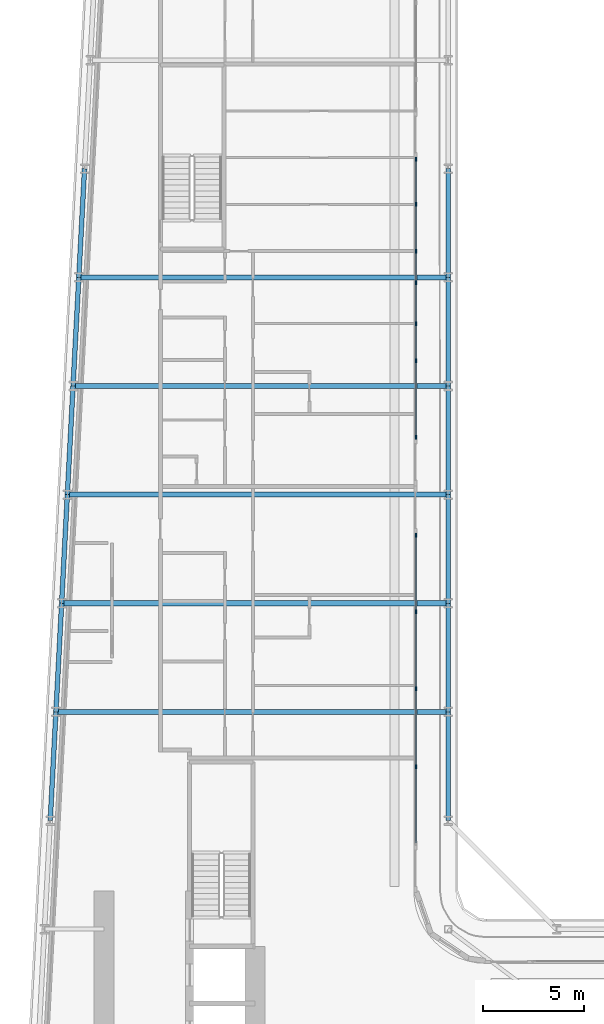
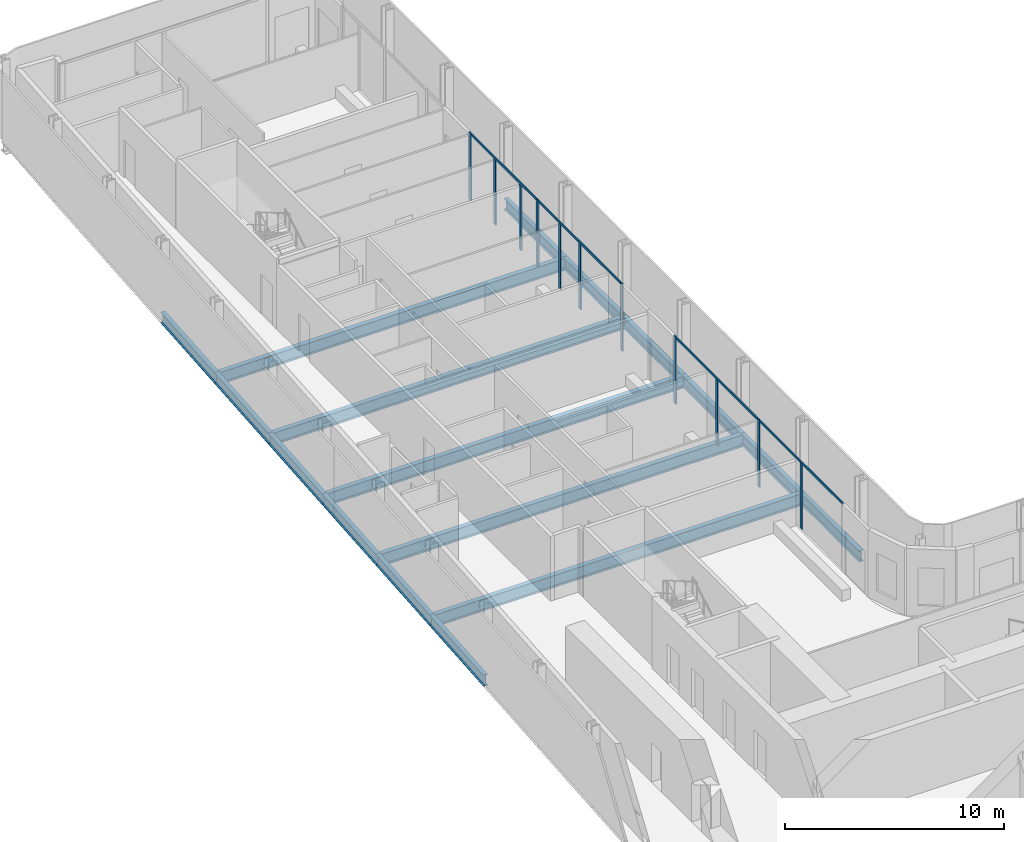
# One storey, part 7 of 27: 17 beams, 15 members, 4 elements without a shape of their own.
"""IFC4 building model written with IfcOpenShell, lengths in metres."""

from ifc_helpers import new_model, si_unit, direction, frame, origin, origin_2d, place, context, subcontext, project, spatial, rectangle, i_section, extrude, material, layer, layer_set, material_profile, profile_set, type_object, element, aggregate, save


model = new_model("IFC4")

# Units and contexts
model_context = context("Model", 3, precision=1e-05, world=origin(), true_north=direction((0.0, 1.0)))
body_context = subcontext(model_context, "Body", "Model", "MODEL_VIEW")
ifc_project = project(units=[si_unit("LENGTHUNIT", "METRE"), si_unit("AREAUNIT", "SQUARE_METRE"), si_unit("VOLUMEUNIT", "CUBIC_METRE"), si_unit("PLANEANGLEUNIT", "RADIAN"), si_unit("MASSUNIT", "GRAM", prefix="KILO")], contexts=[model_context])

# Site, building, storey
site_placement = place(None, origin())
site = spatial("IfcSite", under=ifc_project, at=site_placement, CompositionType="ELEMENT")
building_placement = place(site_placement, origin())
building = spatial("IfcBuilding", under=site, at=building_placement, Name="Kheshtan School and Residences Tower", CompositionType="ELEMENT")
storey_placement = place(building_placement, frame((0.0, 0.0, 53.89990234375)))
storey = spatial("IfcBuildingStorey", under=building, at=storey_placement, Name="L12", CompositionType="ELEMENT", Elevation=53.89990234375)

# Beams
ifc_material_1 = material(Name="Steel ASTM A992 Grade 50", Category="steel")
ifc_material_profile_1 = material_profile(ifc_material_1, i_section(OverallWidth=0.2529296875, OverallDepth=0.677978515625, WebThickness=0.01171875, FlangeThickness=0.016357421875, FilletRadius=0.0146484375, at=origin_2d()), Name="W690x125")
ifc_profile_set_1 = profile_set([ifc_material_profile_1], Name="Steel ASTM A992 Grade 50")
beam_type_1 = type_object("IfcBeamType", Name="Beam FB6 W690x125 ASTM A992 Grade 50", PredefinedType="BEAM", material=ifc_profile_set_1)
beam_1_placement = place(storey_placement, frame((47.60009765625, 72.60009765625, -0.489013671875), z_axis=(-1.0, 0.0, 0.0), x_axis=(0.0, -1.0, 0.0)))
element("IfcBeam", 1, at=beam_1_placement, inside=storey, type_object=beam_type_1, Name="Floor beam C087", PredefinedType="BEAM", context=body_context, shape_type="SweptSolid", body=[
    extrude(i_section(OverallWidth=0.2529296875, OverallDepth=0.677978515625, WebThickness=0.01171875, FlangeThickness=0.016357421875, FilletRadius=0.0146484375, at=origin_2d()), origin(), (0.0, 0.0, 1.0), 18.64208984375),
])
beam_2_placement = place(storey_placement, frame((47.60009765625, 61.800048828125, -0.489013671875), z_axis=(-1.0, 0.0, 0.0), x_axis=(0.0, -1.0, 0.0)))
element("IfcBeam", 2, at=beam_2_placement, inside=storey, type_object=beam_type_1, Name="Floor beam C083", PredefinedType="BEAM", context=body_context, shape_type="SweptSolid", body=[
    extrude(i_section(OverallWidth=0.2529296875, OverallDepth=0.677978515625, WebThickness=0.01171875, FlangeThickness=0.016357421875, FilletRadius=0.0146484375, at=origin_2d()), origin(), (0.0, 0.0, 1.0), 19.210205078125),
])
beam_3_placement = place(storey_placement, frame((28.10595703125, 56.39990234375, -0.489013671875), z_axis=(1.0, 0.0, 0.0), x_axis=(0.0, 1.0, 0.0)))
element("IfcBeam", 3, at=beam_3_placement, inside=storey, type_object=beam_type_1, Name="Floor beam C080", PredefinedType="BEAM", context=body_context, shape_type="SweptSolid", body=[
    extrude(i_section(OverallWidth=0.2529296875, OverallDepth=0.677978515625, WebThickness=0.01171875, FlangeThickness=0.016357421875, FilletRadius=0.0146484375, at=origin_2d()), origin(), (0.0, 0.0, 1.0), 19.494140625),
])
beam_4_placement = place(storey_placement, frame((28.674072265625, 67.199951171875, -0.489013671875), z_axis=(1.0, 0.0, 0.0), x_axis=(0.0, 1.0, 0.0)))
element("IfcBeam", 4, at=beam_4_placement, inside=storey, type_object=beam_type_1, Name="Floor beam C084", PredefinedType="BEAM", context=body_context, shape_type="SweptSolid", body=[
    extrude(i_section(OverallWidth=0.2529296875, OverallDepth=0.677978515625, WebThickness=0.01171875, FlangeThickness=0.016357421875, FilletRadius=0.0146484375, at=origin_2d()), origin(), (0.0, 0.0, 1.0), 18.926025390625),
])
beam_5_placement = place(storey_placement, frame((29.242919921875, 78.0, -0.489013671875), z_axis=(1.0, 0.0, 0.0), x_axis=(0.0, 1.0, 0.0)))
element("IfcBeam", 5, at=beam_5_placement, inside=storey, type_object=beam_type_1, Name="Floor beam C088", PredefinedType="BEAM", context=body_context, shape_type="SweptSolid", body=[
    extrude(i_section(OverallWidth=0.2529296875, OverallDepth=0.677978515625, WebThickness=0.01171875, FlangeThickness=0.016357421875, FilletRadius=0.0146484375, at=origin_2d()), origin(), (0.0, 0.0, 1.0), 18.357177734375),
])
ifc_material_profile_2 = material_profile(ifc_material_1, i_section(OverallWidth=0.22998046875, OverallDepth=0.616943359375, WebThickness=0.01318359375, FlangeThickness=0.022216796875, FilletRadius=0.0185546875, at=origin_2d()), Name="W610x140")
ifc_profile_set_2 = profile_set([ifc_material_profile_2], Name="Steel ASTM A992 Grade 50")
beam_type_2 = type_object("IfcBeamType", Name="Beam SP1 W610x140 ASTM A992 Grade 50", PredefinedType="BEAM", material=ifc_profile_set_2)
for number, where, z_axis, x_axis, name in (
    (6, (47.60009765625, 83.39990234375, -0.45849609375), (0.0, -1.0, 0.0), (1.0, 0.0, 0.0), "Spandrel beam C091-C089"),
    (7, (47.60009765625, 78.0, -0.45849609375), (0.0, -1.0, 0.0), (1.0, 0.0, 0.0), "Spandrel beam C089-C087"),
):
    element("IfcBeam", number, at=place(storey_placement, frame(where, z_axis=z_axis, x_axis=x_axis)), inside=storey, type_object=beam_type_2, Name=name, PredefinedType="BEAM", context=body_context, shape_type="SweptSolid", body=[
        extrude(i_section(OverallWidth=0.22998046875, OverallDepth=0.616943359375, WebThickness=0.01318359375, FlangeThickness=0.022216796875, FilletRadius=0.0185546875, at=origin_2d()), origin(), (0.0, 0.0, 1.0), 5.39990234375),
    ])
beam_6_placement = place(storey_placement, frame((47.60009765625, 72.60009765625, -0.45849609375), z_axis=(0.0, -1.0, 0.0), x_axis=(1.0, 0.0, 0.0)))
element("IfcBeam", 8, at=beam_6_placement, inside=storey, type_object=beam_type_2, Name="Spandrel beam C087-C085", PredefinedType="BEAM", context=body_context, shape_type="SweptSolid", body=[
    extrude(i_section(OverallWidth=0.22998046875, OverallDepth=0.616943359375, WebThickness=0.01318359375, FlangeThickness=0.022216796875, FilletRadius=0.0185546875, at=origin_2d()), origin(), (0.0, 0.0, 1.0), 5.400146484375),
])
beam_7_placement = place(storey_placement, frame((47.60009765625, 67.199951171875, -0.45849609375), z_axis=(0.0, -1.0, 0.0), x_axis=(1.0, 0.0, 0.0)))
element("IfcBeam", 9, at=beam_7_placement, inside=storey, type_object=beam_type_2, Name="Spandrel beam C085-C083", PredefinedType="BEAM", context=body_context, shape_type="SweptSolid", body=[
    extrude(i_section(OverallWidth=0.22998046875, OverallDepth=0.616943359375, WebThickness=0.01318359375, FlangeThickness=0.022216796875, FilletRadius=0.0185546875, at=origin_2d()), origin(), (0.0, 0.0, 1.0), 5.39990234375),
])
beam_8_placement = place(storey_placement, frame((47.60009765625, 61.800048828125, -0.45849609375), z_axis=(0.0, -1.0, 0.0), x_axis=(1.0, 0.0, 0.0)))
element("IfcBeam", 10, at=beam_8_placement, inside=storey, type_object=beam_type_2, Name="Spandrel beam C083-C081", PredefinedType="BEAM", context=body_context, shape_type="SweptSolid", body=[
    extrude(i_section(OverallWidth=0.22998046875, OverallDepth=0.616943359375, WebThickness=0.01318359375, FlangeThickness=0.022216796875, FilletRadius=0.0185546875, at=origin_2d()), origin(), (0.0, 0.0, 1.0), 5.400146484375),
])
beam_9_placement = place(storey_placement, frame((47.60009765625, 56.39990234375, -0.45849609375), z_axis=(0.0, -1.0, 0.0), x_axis=(1.0, 0.0, 0.0)))
element("IfcBeam", 11, at=beam_9_placement, inside=storey, type_object=beam_type_2, Name="Spandrel beam C081-C079", PredefinedType="BEAM", context=body_context, shape_type="SweptSolid", body=[
    extrude(i_section(OverallWidth=0.22998046875, OverallDepth=0.616943359375, WebThickness=0.01318359375, FlangeThickness=0.022216796875, FilletRadius=0.0185546875, at=origin_2d()), origin(), (0.0, 0.0, 1.0), 5.39990234375),
])
beam_10_placement = place(storey_placement, frame((27.822021484375, 51.0, -0.45849609375), z_axis=(0.05250906864, 0.998620447272, 0.0), x_axis=(-0.998620447272, 0.05250906864, 0.0)))
element("IfcBeam", 12, at=beam_10_placement, inside=storey, type_object=beam_type_2, Name="Spandrel beam C078-C080", PredefinedType="BEAM", context=body_context, shape_type="SweptSolid", body=[
    extrude(i_section(OverallWidth=0.22998046875, OverallDepth=0.616943359375, WebThickness=0.01318359375, FlangeThickness=0.022216796875, FilletRadius=0.0185546875, at=origin_2d()), origin(), (0.0, 0.0, 1.0), 5.407470703125),
])
beam_11_placement = place(storey_placement, frame((28.10595703125, 56.39990234375, -0.45849609375), z_axis=(0.05250670125, 0.998620571751, 0.0), x_axis=(-0.998620571751, 0.05250670125, 0.0)))
element("IfcBeam", 13, at=beam_11_placement, inside=storey, type_object=beam_type_2, Name="Spandrel beam C080-C082", PredefinedType="BEAM", context=body_context, shape_type="SweptSolid", body=[
    extrude(i_section(OverallWidth=0.22998046875, OverallDepth=0.616943359375, WebThickness=0.01318359375, FlangeThickness=0.022216796875, FilletRadius=0.0185546875, at=origin_2d()), origin(), (0.0, 0.0, 1.0), 5.40771484375),
])
beam_12_placement = place(storey_placement, frame((28.389892578125, 61.800048828125, -0.45849609375), z_axis=(0.052554093665, 0.998618078766, 0.0), x_axis=(-0.998618078766, 0.052554093665, 0.0)))
element("IfcBeam", 14, at=beam_12_placement, inside=storey, type_object=beam_type_2, Name="Spandrel beam C082-C084", PredefinedType="BEAM", context=body_context, shape_type="SweptSolid", body=[
    extrude(i_section(OverallWidth=0.22998046875, OverallDepth=0.616943359375, WebThickness=0.01318359375, FlangeThickness=0.022216796875, FilletRadius=0.0185546875, at=origin_2d()), origin(), (0.0, 0.0, 1.0), 5.407470703125),
])
beam_13_placement = place(storey_placement, frame((28.674072265625, 67.199951171875, -0.45849609375), z_axis=(0.05250670125, 0.998620571751, 0.0), x_axis=(-0.998620571751, 0.05250670125, 0.0)))
element("IfcBeam", 15, at=beam_13_placement, inside=storey, type_object=beam_type_2, Name="Spandrel beam C084-C086", PredefinedType="BEAM", context=body_context, shape_type="SweptSolid", body=[
    extrude(i_section(OverallWidth=0.22998046875, OverallDepth=0.616943359375, WebThickness=0.01318359375, FlangeThickness=0.022216796875, FilletRadius=0.0185546875, at=origin_2d()), origin(), (0.0, 0.0, 1.0), 5.40771484375),
])
for number, where, z_axis, x_axis, name in (
    (16, (28.9580078125, 72.60009765625, -0.45849609375), (0.052689166816, 0.998610961136, 0.0), (-0.998610961136, 0.052689166816, 0.0), "Spandrel beam C086-C088"),
    (17, (29.242919921875, 78.0, -0.45849609375), (0.052554093665, 0.998618078766, 0.0), (-0.998618078766, 0.052554093665, 0.0), "Spandrel beam C088-C090"),
):
    element("IfcBeam", number, at=place(storey_placement, frame(where, z_axis=z_axis, x_axis=x_axis)), inside=storey, type_object=beam_type_2, Name=name, PredefinedType="BEAM", context=body_context, shape_type="SweptSolid", body=[
        extrude(i_section(OverallWidth=0.22998046875, OverallDepth=0.616943359375, WebThickness=0.01318359375, FlangeThickness=0.022216796875, FilletRadius=0.0185546875, at=origin_2d()), origin(), (0.0, 0.0, 1.0), 5.407470703125),
    ])

# Curtain wall, members
ifc_material_2 = material(Name="Clear low-e glass in thermally broken aluminium frame", Category="aluminium")
ifc_layer = layer(ifc_material_2, 0.199951171875)
ifc_layer_set = layer_set([ifc_layer], Name="Curtain wall CW-L")
curtain_wall_type = type_object("IfcCurtainWallType", Name="Curtain wall CW-L", PredefinedType="NOTDEFINED", material=ifc_layer_set)
curtain_wall_1_placement = place(storey_placement, origin())
curtain_wall_1 = element("IfcCurtainWall", 18, at=curtain_wall_1_placement, inside=storey, type_object=curtain_wall_type, Name="Curtain wall CWL8b", PredefinedType="NOTDEFINED")
ifc_material_3 = material(Name="Thermally broken aluminium, dark bronze anodised", Category="aluminium")
ifc_material_profile_3 = material_profile(ifc_material_3, rectangle(XDim=0.06005859375, YDim=0.199951171875, at=origin_2d()), Name="CW-L mullion 60x200")
ifc_profile_set_3 = profile_set([ifc_material_profile_3], Name="Thermally broken aluminium, dark bronze anodised")
member_type_1 = type_object("IfcMemberType", Name="CW-L mullion 60x200", PredefinedType="MULLION", material=ifc_profile_set_3)
member_1_placement = place(storey_placement, frame((46.0, 83.8759765625, 0.0), z_axis=(0.0, 0.0, 1.0), x_axis=(1.0, 0.0, 0.0)))
member_1 = element("IfcMember", 19, at=member_1_placement, type_object=member_type_1, Name="CWL8b mullion 1", PredefinedType="MULLION", context=body_context, shape_type="SweptSolid", body=[
    extrude(rectangle(XDim=0.06005859375, YDim=0.199951171875, at=origin_2d()), origin(), (0.0, 0.0, 1.0), 3.75),
])
member_2_placement = place(storey_placement, frame((46.0, 81.625, 0.0), z_axis=(0.0, 0.0, 1.0), x_axis=(1.0, 0.0, 0.0)))
member_2 = element("IfcMember", 20, at=member_2_placement, type_object=member_type_1, Name="CWL8b mullion 2", PredefinedType="MULLION", context=body_context, shape_type="SweptSolid", body=[
    extrude(rectangle(XDim=0.06005859375, YDim=0.199951171875, at=origin_2d()), origin(), (0.0, 0.0, 1.0), 3.630126953125),
])
member_3_placement = place(storey_placement, frame((46.0, 79.300048828125, 0.0), z_axis=(0.0, 0.0, 1.0), x_axis=(1.0, 0.0, 0.0)))
member_3 = element("IfcMember", 21, at=member_3_placement, type_object=member_type_1, Name="CWL8b mullion 3", PredefinedType="MULLION", context=body_context, shape_type="SweptSolid", body=[
    extrude(rectangle(XDim=0.06005859375, YDim=0.199951171875, at=origin_2d()), origin(), (0.0, 0.0, 1.0), 3.630126953125),
])
member_4_placement = place(storey_placement, frame((46.0, 77.741943359375, 0.0), z_axis=(0.0, 0.0, 1.0), x_axis=(1.0, 0.0, 0.0)))
member_4 = element("IfcMember", 22, at=member_4_placement, type_object=member_type_1, Name="CWL8b mullion 4", PredefinedType="MULLION", context=body_context, shape_type="SweptSolid", body=[
    extrude(rectangle(XDim=0.06005859375, YDim=0.199951171875, at=origin_2d()), origin(), (0.0, 0.0, 1.0), 3.75),
])

curtain_wall_2_placement = place(storey_placement, origin())
curtain_wall_2 = element("IfcCurtainWall", 23, at=curtain_wall_2_placement, inside=storey, type_object=curtain_wall_type, Name="Curtain wall CWL8c", PredefinedType="NOTDEFINED")
member_5_placement = place(storey_placement, frame((46.0, 75.699951171875, 0.0), z_axis=(0.0, 0.0, 1.0), x_axis=(1.0, 0.0, 0.0)))
member_5 = element("IfcMember", 24, at=member_5_placement, type_object=member_type_1, Name="CWL8c mullion 2", PredefinedType="MULLION", context=body_context, shape_type="SweptSolid", body=[
    extrude(rectangle(XDim=0.06005859375, YDim=0.199951171875, at=origin_2d()), origin(), (0.0, 0.0, 1.0), 3.630126953125),
])
member_6_placement = place(storey_placement, frame((46.0, 73.864990234375, 0.0), z_axis=(0.0, 0.0, 1.0), x_axis=(1.0, 0.0, 0.0)))
member_6 = element("IfcMember", 25, at=member_6_placement, type_object=member_type_1, Name="CWL8c mullion 3", PredefinedType="MULLION", context=body_context, shape_type="SweptSolid", body=[
    extrude(rectangle(XDim=0.06005859375, YDim=0.199951171875, at=origin_2d()), origin(), (0.0, 0.0, 1.0), 3.630126953125),
])
member_7_placement = place(storey_placement, frame((46.0, 70.048095703125, 0.0), z_axis=(0.0, 0.0, 1.0), x_axis=(1.0, 0.0, 0.0)))
member_7 = element("IfcMember", 26, at=member_7_placement, type_object=member_type_1, Name="CWL8c mullion 4", PredefinedType="MULLION", context=body_context, shape_type="SweptSolid", body=[
    extrude(rectangle(XDim=0.06005859375, YDim=0.199951171875, at=origin_2d()), origin(), (0.0, 0.0, 1.0), 3.75),
])

curtain_wall_3_placement = place(storey_placement, origin())
curtain_wall_3 = element("IfcCurtainWall", 27, at=curtain_wall_3_placement, inside=storey, type_object=curtain_wall_type, Name="Curtain wall CWL8", PredefinedType="NOTDEFINED")
member_8_placement = place(storey_placement, frame((46.0, 65.18798828125, 0.0), z_axis=(0.0, 0.0, 1.0), x_axis=(1.0, 0.0, 0.0)))
member_8 = element("IfcMember", 28, at=member_8_placement, type_object=member_type_1, Name="CWL8 mullion 1", PredefinedType="MULLION", context=body_context, shape_type="SweptSolid", body=[
    extrude(rectangle(XDim=0.06005859375, YDim=0.199951171875, at=origin_2d()), origin(), (0.0, 0.0, 1.0), 3.75),
])
member_9_placement = place(storey_placement, frame((46.0, 61.37109375, 0.0), z_axis=(0.0, 0.0, 1.0), x_axis=(1.0, 0.0, 0.0)))
member_9 = element("IfcMember", 29, at=member_9_placement, type_object=member_type_1, Name="CWL8 mullion 2", PredefinedType="MULLION", context=body_context, shape_type="SweptSolid", body=[
    extrude(rectangle(XDim=0.06005859375, YDim=0.199951171875, at=origin_2d()), origin(), (0.0, 0.0, 1.0), 3.630126953125),
])
member_10_placement = place(storey_placement, frame((46.0, 57.553955078125, 0.0), z_axis=(0.0, 0.0, 1.0), x_axis=(1.0, 0.0, 0.0)))
member_10 = element("IfcMember", 30, at=member_10_placement, type_object=member_type_1, Name="CWL8 mullion 3", PredefinedType="MULLION", context=body_context, shape_type="SweptSolid", body=[
    extrude(rectangle(XDim=0.06005859375, YDim=0.199951171875, at=origin_2d()), origin(), (0.0, 0.0, 1.0), 3.75),
])

# Curtain wall, member
curtain_wall_4_placement = place(storey_placement, origin())
curtain_wall_4 = element("IfcCurtainWall", 31, at=curtain_wall_4_placement, inside=storey, type_object=curtain_wall_type, Name="Curtain wall CWL8", PredefinedType="NOTDEFINED")
member_11_placement = place(storey_placement, frame((46.0, 53.677001953125, 0.0), z_axis=(0.0, 0.0, 1.0), x_axis=(1.0, 0.0, 0.0)))
member_11 = element("IfcMember", 32, at=member_11_placement, type_object=member_type_1, Name="CWL8 mullion 2", PredefinedType="MULLION", context=body_context, shape_type="SweptSolid", body=[
    extrude(rectangle(XDim=0.06005859375, YDim=0.199951171875, at=origin_2d()), origin(), (0.0, 0.0, 1.0), 3.630126953125),
])

# Member
ifc_material_profile_4 = material_profile(ifc_material_3, rectangle(XDim=0.06005859375, YDim=0.1201171875, at=origin_2d()), Name="CW-L transom 60x120")
ifc_profile_set_4 = profile_set([ifc_material_profile_4], Name="Thermally broken aluminium, dark bronze anodised")
member_type_2 = type_object("IfcMemberType", Name="CW-L transom 60x120", PredefinedType="USERDEFINED", material=ifc_profile_set_4)
member_12_placement = place(storey_placement, frame((46.0, 83.845947265625, 3.690185546875), z_axis=(0.0, -1.0, 0.0), x_axis=(1.0, 0.0, 0.0)))
member_12 = element("IfcMember", 33, at=member_12_placement, type_object=member_type_2, Name="CWL8b transom 1", ObjectType="TRANSOM", PredefinedType="USERDEFINED", context=body_context, shape_type="SweptSolid", body=[
    extrude(rectangle(XDim=0.06005859375, YDim=0.1201171875, at=origin_2d()), origin(), (0.0, 0.0, 1.0), 6.073974609375),
])

aggregate(curtain_wall_1, [member_1, member_2, member_3, member_4, member_12])

member_13_placement = place(storey_placement, frame((46.0, 77.7119140625, 3.690185546875), z_axis=(0.0, -1.0, 0.0), x_axis=(1.0, 0.0, 0.0)))
member_13 = element("IfcMember", 34, at=member_13_placement, type_object=member_type_2, Name="CWL8c transom 1", ObjectType="TRANSOM", PredefinedType="USERDEFINED", context=body_context, shape_type="SweptSolid", body=[
    extrude(rectangle(XDim=0.06005859375, YDim=0.1201171875, at=origin_2d()), origin(), (0.0, 0.0, 1.0), 7.634033203125),
])

aggregate(curtain_wall_2, [member_5, member_6, member_7, member_13])

member_14_placement = place(storey_placement, frame((46.0, 65.157958984375, 3.690185546875), z_axis=(0.0, -1.0, 0.0), x_axis=(1.0, 0.0, 0.0)))
member_14 = element("IfcMember", 35, at=member_14_placement, type_object=member_type_2, Name="CWL8 transom 1", ObjectType="TRANSOM", PredefinedType="USERDEFINED", context=body_context, shape_type="SweptSolid", body=[
    extrude(rectangle(XDim=0.06005859375, YDim=0.1201171875, at=origin_2d()), origin(), (0.0, 0.0, 1.0), 7.573974609375),
])

aggregate(curtain_wall_3, [member_8, member_9, member_10, member_14])

member_15_placement = place(storey_placement, frame((46.0, 57.52392578125, 3.690185546875), z_axis=(0.0, -1.0, 0.0), x_axis=(1.0, 0.0, 0.0)))
member_15 = element("IfcMember", 36, at=member_15_placement, type_object=member_type_2, Name="CWL8 transom 1", ObjectType="TRANSOM", PredefinedType="USERDEFINED", context=body_context, shape_type="SweptSolid", body=[
    extrude(rectangle(XDim=0.06005859375, YDim=0.1201171875, at=origin_2d()), origin(), (0.0, 0.0, 1.0), 7.634033203125),
])

aggregate(curtain_wall_4, [member_11, member_15])

save(model, "model.ifc")
